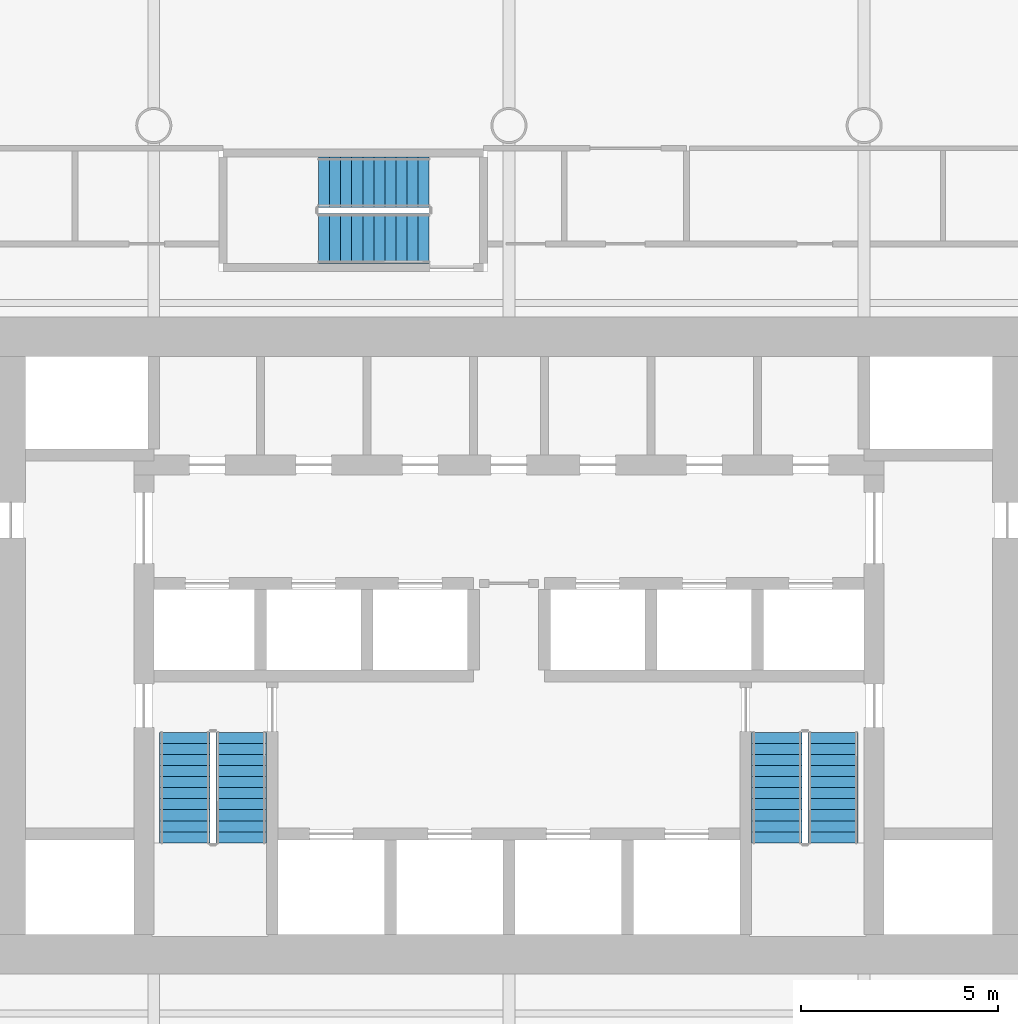
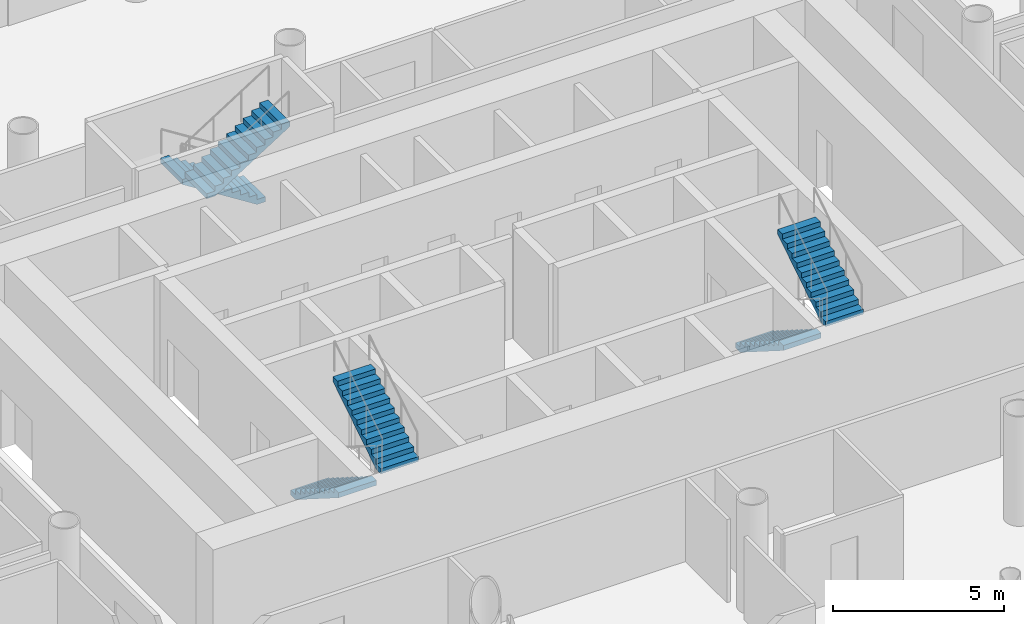
# One storey, part 20 of 25: 6 stair flights, 3 elements without a shape of their own.
"""IFC4 building model written with IfcOpenShell, lengths in metres."""

from ifc_helpers import new_model, si_unit, direction, frame, origin, place, context, subcontext, project, spatial, polyline, outline, extrude, material, type_object, element, aggregate, save


model = new_model("IFC4")

# Units and contexts
model_context = context("Model", 3, precision=1e-05, world=origin(), true_north=direction((0.0, 1.0)))
body_context = subcontext(model_context, "Body", "Model", "MODEL_VIEW")
ifc_project = project(units=[si_unit("LENGTHUNIT", "METRE"), si_unit("AREAUNIT", "SQUARE_METRE"), si_unit("VOLUMEUNIT", "CUBIC_METRE"), si_unit("PLANEANGLEUNIT", "RADIAN"), si_unit("MASSUNIT", "GRAM", prefix="KILO")], contexts=[model_context])

# Site, building, storey
site_placement = place(None, origin())
site = spatial("IfcSite", under=ifc_project, at=site_placement, CompositionType="ELEMENT")
building_placement = place(site_placement, origin())
building = spatial("IfcBuilding", under=site, at=building_placement, Name="Tskaro Facet Tower", CompositionType="ELEMENT")
storey_placement = place(building_placement, frame((0.0, 0.0, 10.800048828125)))
storey = spatial("IfcBuildingStorey", under=building, at=storey_placement, Name="L01", CompositionType="ELEMENT", Elevation=10.800048828125)

# Stair, stair flights
ifc_material = material(Name="Concrete C40/50", Category="concrete")
stair_type = type_object("IfcStairType", Name="ST-TWR", PredefinedType="HALF_TURN_STAIR", material=ifc_material)
stair_1_placement = place(storey_placement, origin())
stair_1 = element("IfcStair", 1, at=stair_1_placement, inside=storey, type_object=stair_type, Name="L01 Exit stair 1", PredefinedType="HALF_TURN_STAIR")
stair_flight_type = type_object("IfcStairFlightType", Name="SFL-RC", PredefinedType="STRAIGHT", material=ifc_material)
stair_flight_1_placement = place(storey_placement, frame((-8.21240234375, -6.375, 0.0), z_axis=(0.0, 0.0, 1.0), x_axis=(0.0, -1.0, 0.0)))
stair_flight_1 = element("IfcStairFlight", 2, at=stair_flight_1_placement, type_object=stair_flight_type, Name="ST-1 flight 1", NumberOfRisers=11, NumberOfTreads=10, PredefinedType="STRAIGHT", RiserHeight=0.177272727, TreadLength=0.28, context=body_context, shape_type="SweptSolid", body=[
    extrude(outline(polyline([(0.0, 0.0), (0.0, 0.17724609375), (0.280029296875, 0.17724609375), (0.280029296875, 0.3544921875), (0.56005859375, 0.3544921875), (0.56005859375, 0.53173828125), (0.840087890625, 0.53173828125), (0.840087890625, 0.708984375), (1.1201171875, 0.708984375), (1.1201171875, 0.886474609375), (1.39990234375, 0.886474609375), (1.39990234375, 1.063720703125), (1.679931640625, 1.063720703125), (1.679931640625, 1.240966796875), (1.9599609375, 1.240966796875), (1.9599609375, 1.418212890625), (2.239990234375, 1.418212890625), (2.239990234375, 1.595458984375), (2.52001953125, 1.595458984375), (2.52001953125, 1.772705078125), (2.800048828125, 1.772705078125), (2.800048828125, 1.949951171875), (2.800048828125, 1.59521484375), (0.2802734375, 0.0), (0.0, 0.0)])), frame((0.0, 0.637451171875, 0.0), z_axis=(0.0, -1.0, 0.0), x_axis=(1.0, 0.0, 0.0)), (0.0, 0.0, 1.0), 1.27490234375),
])
stair_flight_2_placement = place(storey_placement, frame((-6.78759765625, -9.175048828125, 1.949951171875), z_axis=(0.0, 0.0, 1.0), x_axis=(0.0, 1.0, 0.0)))
stair_flight_2 = element("IfcStairFlight", 3, at=stair_flight_2_placement, type_object=stair_flight_type, Name="ST-1 flight 2", NumberOfRisers=11, NumberOfTreads=10, PredefinedType="STRAIGHT", RiserHeight=0.177272727, TreadLength=0.28, context=body_context, shape_type="SweptSolid", body=[
    extrude(outline(polyline([(0.0, 0.0), (0.0, 0.17724609375), (0.280029296875, 0.17724609375), (0.280029296875, 0.3544921875), (0.56005859375, 0.3544921875), (0.56005859375, 0.53173828125), (0.840087890625, 0.53173828125), (0.840087890625, 0.708984375), (1.1201171875, 0.708984375), (1.1201171875, 0.886474609375), (1.39990234375, 0.886474609375), (1.39990234375, 1.063720703125), (1.679931640625, 1.063720703125), (1.679931640625, 1.240966796875), (1.9599609375, 1.240966796875), (1.9599609375, 1.418212890625), (2.239990234375, 1.418212890625), (2.239990234375, 1.595458984375), (2.52001953125, 1.595458984375), (2.52001953125, 1.772705078125), (2.800048828125, 1.772705078125), (2.800048828125, 1.949951171875), (2.800048828125, 1.59521484375), (0.2802734375, 0.0), (0.0, 0.0)])), frame((0.0, 0.637451171875, 0.0), z_axis=(0.0, -1.0, 0.0), x_axis=(1.0, 0.0, 0.0)), (0.0, 0.0, 1.0), 1.27490234375),
])
aggregate(stair_1, [stair_flight_1, stair_flight_2])

stair_2_placement = place(storey_placement, origin())
stair_2 = element("IfcStair", 4, at=stair_2_placement, inside=storey, type_object=stair_type, Name="L01 Exit stair 2", PredefinedType="HALF_TURN_STAIR")
stair_flight_3_placement = place(storey_placement, frame((6.78759765625, -6.375, 0.0), z_axis=(0.0, 0.0, 1.0), x_axis=(0.0, -1.0, 0.0)))
stair_flight_3 = element("IfcStairFlight", 5, at=stair_flight_3_placement, type_object=stair_flight_type, Name="ST-2 flight 1", NumberOfRisers=11, NumberOfTreads=10, PredefinedType="STRAIGHT", RiserHeight=0.177272727, TreadLength=0.28, context=body_context, shape_type="SweptSolid", body=[
    extrude(outline(polyline([(0.0, 0.0), (0.0, 0.17724609375), (0.280029296875, 0.17724609375), (0.280029296875, 0.3544921875), (0.56005859375, 0.3544921875), (0.56005859375, 0.53173828125), (0.840087890625, 0.53173828125), (0.840087890625, 0.708984375), (1.1201171875, 0.708984375), (1.1201171875, 0.886474609375), (1.39990234375, 0.886474609375), (1.39990234375, 1.063720703125), (1.679931640625, 1.063720703125), (1.679931640625, 1.240966796875), (1.9599609375, 1.240966796875), (1.9599609375, 1.418212890625), (2.239990234375, 1.418212890625), (2.239990234375, 1.595458984375), (2.52001953125, 1.595458984375), (2.52001953125, 1.772705078125), (2.800048828125, 1.772705078125), (2.800048828125, 1.949951171875), (2.800048828125, 1.59521484375), (0.2802734375, 0.0), (0.0, 0.0)])), frame((0.0, 0.637451171875, 0.0), z_axis=(0.0, -1.0, 0.0), x_axis=(1.0, 0.0, 0.0)), (0.0, 0.0, 1.0), 1.27490234375),
])
stair_flight_4_placement = place(storey_placement, frame((8.21240234375, -9.175048828125, 1.949951171875), z_axis=(0.0, 0.0, 1.0), x_axis=(0.0, 1.0, 0.0)))
stair_flight_4 = element("IfcStairFlight", 6, at=stair_flight_4_placement, type_object=stair_flight_type, Name="ST-2 flight 2", NumberOfRisers=11, NumberOfTreads=10, PredefinedType="STRAIGHT", RiserHeight=0.177272727, TreadLength=0.28, context=body_context, shape_type="SweptSolid", body=[
    extrude(outline(polyline([(0.0, 0.0), (0.0, 0.17724609375), (0.280029296875, 0.17724609375), (0.280029296875, 0.3544921875), (0.56005859375, 0.3544921875), (0.56005859375, 0.53173828125), (0.840087890625, 0.53173828125), (0.840087890625, 0.708984375), (1.1201171875, 0.708984375), (1.1201171875, 0.886474609375), (1.39990234375, 0.886474609375), (1.39990234375, 1.063720703125), (1.679931640625, 1.063720703125), (1.679931640625, 1.240966796875), (1.9599609375, 1.240966796875), (1.9599609375, 1.418212890625), (2.239990234375, 1.418212890625), (2.239990234375, 1.595458984375), (2.52001953125, 1.595458984375), (2.52001953125, 1.772705078125), (2.800048828125, 1.772705078125), (2.800048828125, 1.949951171875), (2.800048828125, 1.59521484375), (0.2802734375, 0.0), (0.0, 0.0)])), frame((0.0, 0.637451171875, 0.0), z_axis=(0.0, -1.0, 0.0), x_axis=(1.0, 0.0, 0.0)), (0.0, 0.0, 1.0), 1.27490234375),
])
aggregate(stair_2, [stair_flight_3, stair_flight_4])

stair_3_placement = place(storey_placement, origin())
stair_3 = element("IfcStair", 7, at=stair_3_placement, inside=storey, type_object=stair_type, Name="L01 Exit stair 3", PredefinedType="HALF_TURN_STAIR")
stair_flight_5_placement = place(storey_placement, frame((-2.02490234375, 7.5625, 0.0), z_axis=(0.0, 0.0, 1.0), x_axis=(-1.0, 0.0, 0.0)))
stair_flight_5 = element("IfcStairFlight", 8, at=stair_flight_5_placement, type_object=stair_flight_type, Name="ST-3 flight 1", NumberOfRisers=11, NumberOfTreads=10, PredefinedType="STRAIGHT", RiserHeight=0.177272727, TreadLength=0.28, context=body_context, shape_type="SweptSolid", body=[
    extrude(outline(polyline([(0.0, 0.0), (0.0, 0.17724609375), (0.280029296875, 0.17724609375), (0.280029296875, 0.3544921875), (0.56005859375, 0.3544921875), (0.56005859375, 0.53173828125), (0.840087890625, 0.53173828125), (0.840087890625, 0.708984375), (1.1201171875, 0.708984375), (1.1201171875, 0.886474609375), (1.39990234375, 0.886474609375), (1.39990234375, 1.063720703125), (1.679931640625, 1.063720703125), (1.679931640625, 1.240966796875), (1.9599609375, 1.240966796875), (1.9599609375, 1.418212890625), (2.239990234375, 1.418212890625), (2.239990234375, 1.595458984375), (2.52001953125, 1.595458984375), (2.52001953125, 1.772705078125), (2.800048828125, 1.772705078125), (2.800048828125, 1.949951171875), (2.800048828125, 1.59521484375), (0.2802734375, 0.0), (0.0, 0.0)])), frame((0.0, 0.637451171875, 0.0), z_axis=(0.0, -1.0, 0.0), x_axis=(1.0, 0.0, 0.0)), (0.0, 0.0, 1.0), 1.27490234375),
])
stair_flight_6_placement = place(storey_placement, frame((-4.824951171875, 6.137451171875, 1.949951171875), z_axis=(0.0, 0.0, 1.0), x_axis=(1.0, 0.0, 0.0)))
stair_flight_6 = element("IfcStairFlight", 9, at=stair_flight_6_placement, type_object=stair_flight_type, Name="ST-3 flight 2", NumberOfRisers=11, NumberOfTreads=10, PredefinedType="STRAIGHT", RiserHeight=0.177272727, TreadLength=0.28, context=body_context, shape_type="SweptSolid", body=[
    extrude(outline(polyline([(0.0, 0.0), (0.0, 0.17724609375), (0.280029296875, 0.17724609375), (0.280029296875, 0.3544921875), (0.56005859375, 0.3544921875), (0.56005859375, 0.53173828125), (0.840087890625, 0.53173828125), (0.840087890625, 0.708984375), (1.1201171875, 0.708984375), (1.1201171875, 0.886474609375), (1.39990234375, 0.886474609375), (1.39990234375, 1.063720703125), (1.679931640625, 1.063720703125), (1.679931640625, 1.240966796875), (1.9599609375, 1.240966796875), (1.9599609375, 1.418212890625), (2.239990234375, 1.418212890625), (2.239990234375, 1.595458984375), (2.52001953125, 1.595458984375), (2.52001953125, 1.772705078125), (2.800048828125, 1.772705078125), (2.800048828125, 1.949951171875), (2.800048828125, 1.59521484375), (0.2802734375, 0.0), (0.0, 0.0)])), frame((0.0, 0.637451171875, 0.0), z_axis=(0.0, -1.0, 0.0), x_axis=(1.0, 0.0, 0.0)), (0.0, 0.0, 1.0), 1.27490234375),
])
aggregate(stair_3, [stair_flight_5, stair_flight_6])

save(model, "model.ifc")
